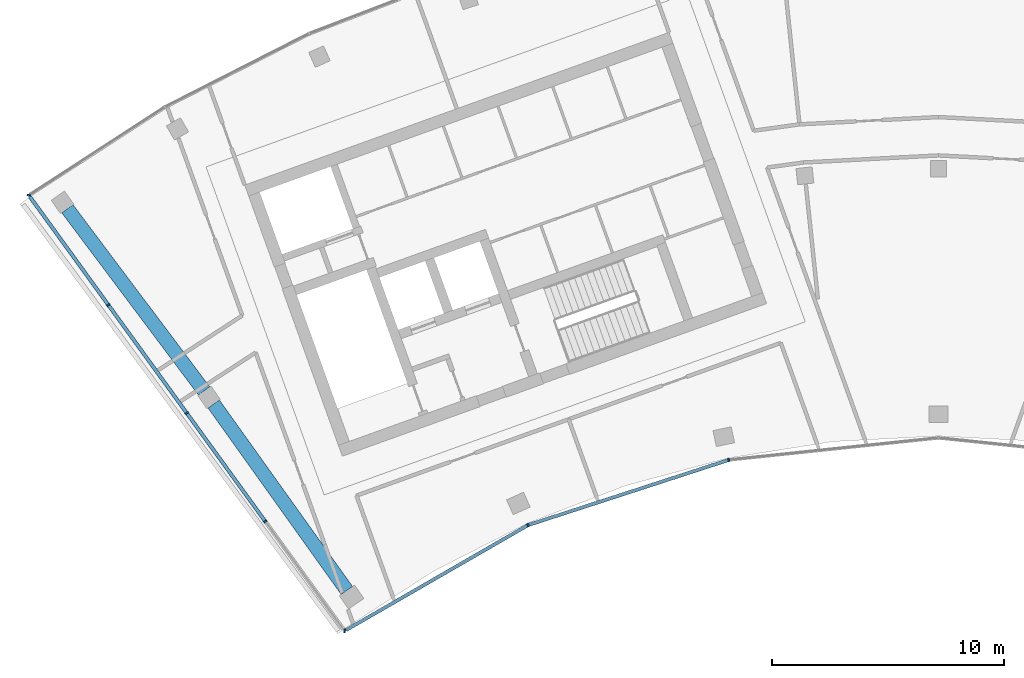
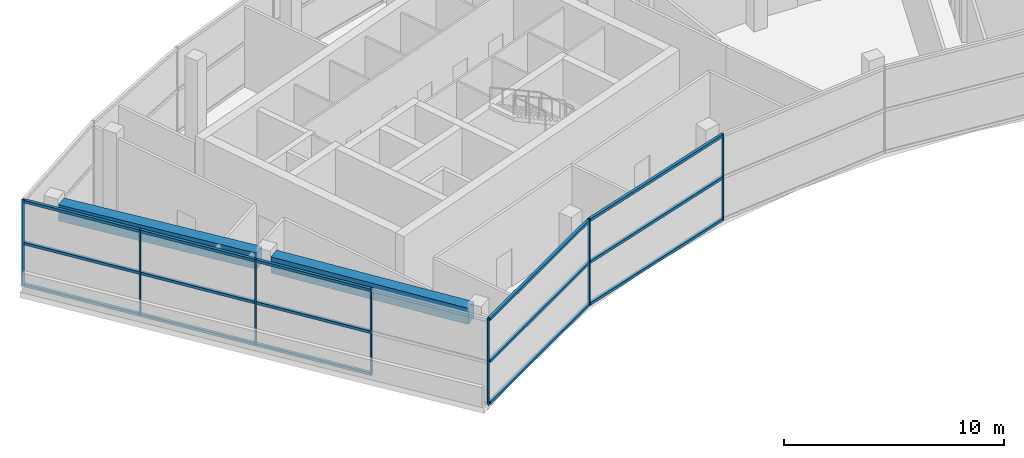
# One storey, part 2 of 13: 22 members, 2 beams, 2 elements without a shape of their own.
"""IFC4 building model written with IfcOpenShell, lengths in metres."""

from ifc_helpers import new_model, si_unit, direction, frame, origin, origin_2d, place, context, subcontext, project, spatial, rectangle, extrude, material, layer, layer_set, material_profile, profile_set, type_object, element, aggregate, save


model = new_model("IFC4")

# Units and contexts
model_context = context("Model", 3, precision=1e-05, world=origin(), true_north=direction((0.0, 1.0)))
body_context = subcontext(model_context, "Body", "Model", "MODEL_VIEW")
ifc_project = project(units=[si_unit("LENGTHUNIT", "METRE"), si_unit("AREAUNIT", "SQUARE_METRE"), si_unit("VOLUMEUNIT", "CUBIC_METRE"), si_unit("PLANEANGLEUNIT", "RADIAN"), si_unit("MASSUNIT", "GRAM", prefix="KILO")], contexts=[model_context])

# Site, building, storey
site_placement = place(None, origin())
site = spatial("IfcSite", under=ifc_project, at=site_placement, CompositionType="ELEMENT")
building_placement = place(site_placement, origin())
building = spatial("IfcBuilding", under=site, at=building_placement, Name="Stone Belt Terrace Tower", CompositionType="ELEMENT")
storey_placement = place(building_placement, frame((0.0, 0.0, 332.60009765625)))
storey = spatial("IfcBuildingStorey", under=building, at=storey_placement, Name="L79", CompositionType="ELEMENT", Elevation=332.60009765625)

# Curtain wall, members
ifc_material_1 = material(Name="Aluminium 6063-T6 anodised frame", Category="aluminium")
ifc_layer = layer(ifc_material_1, 0.14990234375)
ifc_layer_set = layer_set([ifc_layer], Name="CW-F observation floor curtain wall")
curtain_wall_type = type_object("IfcCurtainWallType", Name="CW-F observation floor curtain wall", PredefinedType="NOTDEFINED", material=ifc_layer_set)
curtain_wall_1_placement = place(storey_placement, origin())
curtain_wall_1 = element("IfcCurtainWall", 1, at=curtain_wall_1_placement, inside=storey, type_object=curtain_wall_type, Name="CW-F concave face L79", PredefinedType="NOTDEFINED")
ifc_material_profile_1 = material_profile(ifc_material_1, rectangle(XDim=0.14990234375, YDim=0.070068359375, at=origin_2d()), Name="Aluminium 6063-T6 70x150")
ifc_profile_set_1 = profile_set([ifc_material_profile_1], Name="Aluminium 6063-T6 anodised frame")
member_type_1 = type_object("IfcMemberType", Name="CW-F mullion 70 x 150", PredefinedType="MULLION", material=ifc_profile_set_1)
member_1_placement = place(storey_placement, frame((-25.552978515625, 35.1201171875, 0.0), z_axis=(0.0, 0.0, 1.0), x_axis=(0.208678839388, 0.977984223795, 0.0)))
member_1 = element("IfcMember", 2, at=member_1_placement, type_object=member_type_1, Name="CW-F mullion 1", PredefinedType="MULLION", context=body_context, shape_type="SweptSolid", body=[
    extrude(rectangle(XDim=0.14990234375, YDim=0.070068359375, at=origin_2d()), origin(), (0.0, 0.0, 1.0), 4.7998046875),
])
member_2_placement = place(storey_placement, frame((-17.662353515625, 39.67041015625, 0.0), z_axis=(0.0, 0.0, 1.0), x_axis=(-0.406497781929, 0.913651768064, 0.0)))
member_2 = element("IfcMember", 3, at=member_2_placement, type_object=member_type_1, Name="CW-F mullion 2", PredefinedType="MULLION", context=body_context, shape_type="SweptSolid", body=[
    extrude(rectangle(XDim=0.14990234375, YDim=0.070068359375, at=origin_2d()), origin(), (0.0, 0.0, 1.0), 4.7998046875),
])
member_3_placement = place(storey_placement, frame((-9.028564453125, 42.4755859375, 0.0), z_axis=(0.0, 0.0, 1.0), x_axis=(-0.207911690818, 0.978147600734, 0.0)))
member_3 = element("IfcMember", 4, at=member_3_placement, type_object=member_type_1, Name="CW-F mullion 3", PredefinedType="MULLION", context=body_context, shape_type="SweptSolid", body=[
    extrude(rectangle(XDim=0.14990234375, YDim=0.070068359375, at=origin_2d()), origin(), (0.0, 0.0, 1.0), 4.7998046875),
])

curtain_wall_2_placement = place(storey_placement, origin())
curtain_wall_2 = element("IfcCurtainWall", 5, at=curtain_wall_2_placement, inside=storey, type_object=curtain_wall_type, Name="CW-F end face L79", PredefinedType="NOTDEFINED")
member_4_placement = place(storey_placement, frame((-39.138427734375, 53.8603515625, 0.0), z_axis=(0.0, 0.0, 1.0), x_axis=(0.983111668219, -0.183006687889, 0.0)))
member_4 = element("IfcMember", 6, at=member_4_placement, type_object=member_type_1, Name="CW-F mullion 1", PredefinedType="MULLION", context=body_context, shape_type="SweptSolid", body=[
    extrude(rectangle(XDim=0.14990234375, YDim=0.070068359375, at=origin_2d()), origin(), (0.0, 0.0, 1.0), 4.7998046875),
])
member_5_placement = place(storey_placement, frame((-35.71728515625, 49.14111328125, 0.0), z_axis=(0.0, 0.0, 1.0), x_axis=(0.809631259696, 0.586938858249, 0.0)))
member_5 = element("IfcMember", 7, at=member_5_placement, type_object=member_type_1, Name="CW-F mullion 2", PredefinedType="MULLION", context=body_context, shape_type="SweptSolid", body=[
    extrude(rectangle(XDim=0.14990234375, YDim=0.070068359375, at=origin_2d()), origin(), (0.0, 0.0, 1.0), 4.7998046875),
])
member_6_placement = place(storey_placement, frame((-32.34228515625, 44.485595703125, 0.0), z_axis=(0.0, 0.0, 1.0), x_axis=(0.809631259696, 0.586938858249, 0.0)))
member_6 = element("IfcMember", 8, at=member_6_placement, type_object=member_type_1, Name="CW-F mullion 3", PredefinedType="MULLION", context=body_context, shape_type="SweptSolid", body=[
    extrude(rectangle(XDim=0.14990234375, YDim=0.070068359375, at=origin_2d()), origin(), (0.0, 0.0, 1.0), 4.7998046875),
])
member_7_placement = place(storey_placement, frame((-28.967529296875, 39.830322265625, 0.0), z_axis=(0.0, 0.0, 1.0), x_axis=(0.809631259696, 0.586938858249, 0.0)))
member_7 = element("IfcMember", 9, at=member_7_placement, type_object=member_type_1, Name="CW-F mullion 4", PredefinedType="MULLION", context=body_context, shape_type="SweptSolid", body=[
    extrude(rectangle(XDim=0.14990234375, YDim=0.070068359375, at=origin_2d()), origin(), (0.0, 0.0, 1.0), 4.7998046875),
])

# Member
ifc_material_profile_2 = material_profile(ifc_material_1, rectangle(XDim=0.14990234375, YDim=0.14990234375, at=origin_2d()), Name="Aluminium 6063-T6 150x150")
ifc_profile_set_2 = profile_set([ifc_material_profile_2], Name="Aluminium 6063-T6 anodised frame")
member_type_2 = type_object("IfcMemberType", Name="CW-F transom 150 x 150", PredefinedType="USERDEFINED", material=ifc_profile_set_2)
member_8_placement = place(storey_placement, frame((-25.48681640625, 35.158203125, 0.074951171875), z_axis=(0.866287749759, 0.499545327891, 0.0), x_axis=(-0.499545327891, 0.866287749759, 0.0)))
member_8 = element("IfcMember", 10, at=member_8_placement, type_object=member_type_2, Name="CW-F transom 1.1", ObjectType="TRANSOM", PredefinedType="USERDEFINED", context=body_context, shape_type="SweptSolid", body=[
    extrude(rectangle(XDim=0.14990234375, YDim=0.14990234375, at=origin_2d()), origin(), (0.0, 0.0, 1.0), 8.989501953125),
])

member_9_placement = place(storey_placement, frame((-25.48681640625, 35.158203125, 2.39990234375), z_axis=(0.866287749759, 0.499545327891, 0.0), x_axis=(-0.499545327891, 0.866287749759, 0.0)))
member_9 = element("IfcMember", 11, at=member_9_placement, type_object=member_type_2, Name="CW-F transom 1.2", ObjectType="TRANSOM", PredefinedType="USERDEFINED", context=body_context, shape_type="SweptSolid", body=[
    extrude(rectangle(XDim=0.14990234375, YDim=0.14990234375, at=origin_2d()), origin(), (0.0, 0.0, 1.0), 8.989501953125),
])

member_10_placement = place(storey_placement, frame((-25.48681640625, 35.158203125, 4.724853515625), z_axis=(0.866287749759, 0.499545327891, 0.0), x_axis=(-0.499545327891, 0.866287749759, 0.0)))
member_10 = element("IfcMember", 12, at=member_10_placement, type_object=member_type_2, Name="CW-F transom 1.3", ObjectType="TRANSOM", PredefinedType="USERDEFINED", context=body_context, shape_type="SweptSolid", body=[
    extrude(rectangle(XDim=0.14990234375, YDim=0.14990234375, at=origin_2d()), origin(), (0.0, 0.0, 1.0), 8.989501953125),
])

member_11_placement = place(storey_placement, frame((-17.621826171875, 39.68359375, 0.074951171875), z_axis=(0.951061198076, 0.309002584965, 0.0), x_axis=(-0.309002584965, 0.951061198076, 0.0)))
member_11 = element("IfcMember", 13, at=member_11_placement, type_object=member_type_2, Name="CW-F transom 2.1", ObjectType="TRANSOM", PredefinedType="USERDEFINED", context=body_context, shape_type="SweptSolid", body=[
    extrude(rectangle(XDim=0.14990234375, YDim=0.14990234375, at=origin_2d()), origin(), (0.0, 0.0, 1.0), 8.992919921875),
])

member_12_placement = place(storey_placement, frame((-17.621826171875, 39.68359375, 2.39990234375), z_axis=(0.951061198076, 0.309002584965, 0.0), x_axis=(-0.309002584965, 0.951061198076, 0.0)))
member_12 = element("IfcMember", 14, at=member_12_placement, type_object=member_type_2, Name="CW-F transom 2.2", ObjectType="TRANSOM", PredefinedType="USERDEFINED", context=body_context, shape_type="SweptSolid", body=[
    extrude(rectangle(XDim=0.14990234375, YDim=0.14990234375, at=origin_2d()), origin(), (0.0, 0.0, 1.0), 8.992919921875),
])

member_13_placement = place(storey_placement, frame((-17.621826171875, 39.68359375, 4.724853515625), z_axis=(0.951061198076, 0.309002584965, 0.0), x_axis=(-0.309002584965, 0.951061198076, 0.0)))
member_13 = element("IfcMember", 15, at=member_13_placement, type_object=member_type_2, Name="CW-F transom 2.3", ObjectType="TRANSOM", PredefinedType="USERDEFINED", context=body_context, shape_type="SweptSolid", body=[
    extrude(rectangle(XDim=0.14990234375, YDim=0.14990234375, at=origin_2d()), origin(), (0.0, 0.0, 1.0), 8.992919921875),
])

aggregate(curtain_wall_1, [member_1, member_2, member_3, member_8, member_9, member_10, member_11, member_12, member_13])

member_14_placement = place(storey_placement, frame((-39.092529296875, 53.796875, 0.074951171875), z_axis=(0.586949372298, -0.809623637475, 0.0), x_axis=(0.809623637475, 0.586949372298, 0.0)))
member_14 = element("IfcMember", 16, at=member_14_placement, type_object=member_type_2, Name="CW-F transom 1.1", ObjectType="TRANSOM", PredefinedType="USERDEFINED", context=body_context, shape_type="SweptSolid", body=[
    extrude(rectangle(XDim=0.14990234375, YDim=0.14990234375, at=origin_2d()), origin(), (0.0, 0.0, 1.0), 5.715576171875),
])

member_15_placement = place(storey_placement, frame((-39.092529296875, 53.796875, 2.39990234375), z_axis=(0.586949372298, -0.809623637475, 0.0), x_axis=(0.809623637475, 0.586949372298, 0.0)))
member_15 = element("IfcMember", 17, at=member_15_placement, type_object=member_type_2, Name="CW-F transom 1.2", ObjectType="TRANSOM", PredefinedType="USERDEFINED", context=body_context, shape_type="SweptSolid", body=[
    extrude(rectangle(XDim=0.14990234375, YDim=0.14990234375, at=origin_2d()), origin(), (0.0, 0.0, 1.0), 5.715576171875),
])

member_16_placement = place(storey_placement, frame((-39.092529296875, 53.796875, 4.724853515625), z_axis=(0.586949372298, -0.809623637475, 0.0), x_axis=(0.809623637475, 0.586949372298, 0.0)))
member_16 = element("IfcMember", 18, at=member_16_placement, type_object=member_type_2, Name="CW-F transom 1.3", ObjectType="TRANSOM", PredefinedType="USERDEFINED", context=body_context, shape_type="SweptSolid", body=[
    extrude(rectangle(XDim=0.14990234375, YDim=0.14990234375, at=origin_2d()), origin(), (0.0, 0.0, 1.0), 5.715576171875),
])

member_17_placement = place(storey_placement, frame((-35.69677734375, 49.11279296875, 0.074951171875), z_axis=(0.586944328895, -0.809627293746, 0.0), x_axis=(0.809627293746, 0.586944328895, 0.0)))
member_17 = element("IfcMember", 19, at=member_17_placement, type_object=member_type_2, Name="CW-F transom 2.1", ObjectType="TRANSOM", PredefinedType="USERDEFINED", context=body_context, shape_type="SweptSolid", body=[
    extrude(rectangle(XDim=0.14990234375, YDim=0.14990234375, at=origin_2d()), origin(), (0.0, 0.0, 1.0), 5.68017578125),
])

member_18_placement = place(storey_placement, frame((-35.69677734375, 49.11279296875, 2.39990234375), z_axis=(0.586944328895, -0.809627293746, 0.0), x_axis=(0.809627293746, 0.586944328895, 0.0)))
member_18 = element("IfcMember", 20, at=member_18_placement, type_object=member_type_2, Name="CW-F transom 2.2", ObjectType="TRANSOM", PredefinedType="USERDEFINED", context=body_context, shape_type="SweptSolid", body=[
    extrude(rectangle(XDim=0.14990234375, YDim=0.14990234375, at=origin_2d()), origin(), (0.0, 0.0, 1.0), 5.68017578125),
])

member_19_placement = place(storey_placement, frame((-35.69677734375, 49.11279296875, 4.724853515625), z_axis=(0.586944328895, -0.809627293746, 0.0), x_axis=(0.809627293746, 0.586944328895, 0.0)))
member_19 = element("IfcMember", 21, at=member_19_placement, type_object=member_type_2, Name="CW-F transom 2.3", ObjectType="TRANSOM", PredefinedType="USERDEFINED", context=body_context, shape_type="SweptSolid", body=[
    extrude(rectangle(XDim=0.14990234375, YDim=0.14990234375, at=origin_2d()), origin(), (0.0, 0.0, 1.0), 5.68017578125),
])

member_20_placement = place(storey_placement, frame((-32.32177734375, 44.457275390625, 0.074951171875), z_axis=(0.586936579405, -0.80963291173, 0.0), x_axis=(0.80963291173, 0.586936579405, 0.0)))
member_20 = element("IfcMember", 22, at=member_20_placement, type_object=member_type_2, Name="CW-F transom 3.1", ObjectType="TRANSOM", PredefinedType="USERDEFINED", context=body_context, shape_type="SweptSolid", body=[
    extrude(rectangle(XDim=0.14990234375, YDim=0.14990234375, at=origin_2d()), origin(), (0.0, 0.0, 1.0), 5.679931640625),
])

member_21_placement = place(storey_placement, frame((-32.32177734375, 44.457275390625, 2.39990234375), z_axis=(0.586936579405, -0.80963291173, 0.0), x_axis=(0.80963291173, 0.586936579405, 0.0)))
member_21 = element("IfcMember", 23, at=member_21_placement, type_object=member_type_2, Name="CW-F transom 3.2", ObjectType="TRANSOM", PredefinedType="USERDEFINED", context=body_context, shape_type="SweptSolid", body=[
    extrude(rectangle(XDim=0.14990234375, YDim=0.14990234375, at=origin_2d()), origin(), (0.0, 0.0, 1.0), 5.679931640625),
])

member_22_placement = place(storey_placement, frame((-32.32177734375, 44.457275390625, 4.724853515625), z_axis=(0.586936579405, -0.80963291173, 0.0), x_axis=(0.80963291173, 0.586936579405, 0.0)))
member_22 = element("IfcMember", 24, at=member_22_placement, type_object=member_type_2, Name="CW-F transom 3.3", ObjectType="TRANSOM", PredefinedType="USERDEFINED", context=body_context, shape_type="SweptSolid", body=[
    extrude(rectangle(XDim=0.14990234375, YDim=0.14990234375, at=origin_2d()), origin(), (0.0, 0.0, 1.0), 5.679931640625),
])

aggregate(curtain_wall_2, [member_4, member_5, member_6, member_7, member_14, member_15, member_16, member_17, member_18, member_19, member_20, member_21, member_22])

# Beams
ifc_material_2 = material(Name="Concrete B60", Category="concrete")
ifc_material_profile_3 = material_profile(ifc_material_2, rectangle(XDim=0.60009765625, YDim=0.89990234375, at=origin_2d()), Name="RC 600x900")
ifc_profile_set_3 = profile_set([ifc_material_profile_3], Name="Concrete B60")
beam_type = type_object("IfcBeamType", Name="Edge beam RC 600x900 B60", PredefinedType="SPANDREL", material=ifc_profile_set_3)
beam_1_placement = place(storey_placement, frame((-25.457275390625, 36.858154296875, 4.0), z_axis=(-0.581177268813, 0.813776985553, 0.0), x_axis=(-0.813776985553, -0.581177268813, 0.0)))
element("IfcBeam", 25, at=beam_1_placement, inside=storey, type_object=beam_type, Name="Edge beam L79 A P to Q", PredefinedType="SPANDREL", context=body_context, shape_type="SweptSolid", body=[
    extrude(rectangle(XDim=0.60009765625, YDim=0.89990234375, at=origin_2d()), origin(), (0.0, 0.0, 1.0), 9.85595703125),
])
beam_2_placement = place(storey_placement, frame((-31.59912109375, 45.443603515625, 4.0), z_axis=(-0.600334962416, 0.799748668583, 0.0), x_axis=(-0.799748668583, -0.600334962416, 0.0)))
element("IfcBeam", 26, at=beam_2_placement, inside=storey, type_object=beam_type, Name="Edge beam L79 A Q to R", PredefinedType="SPANDREL", context=body_context, shape_type="SweptSolid", body=[
    extrude(rectangle(XDim=0.60009765625, YDim=0.89990234375, at=origin_2d()), origin(), (0.0, 0.0, 1.0), 9.79443359375),
])

save(model, "model.ifc")
